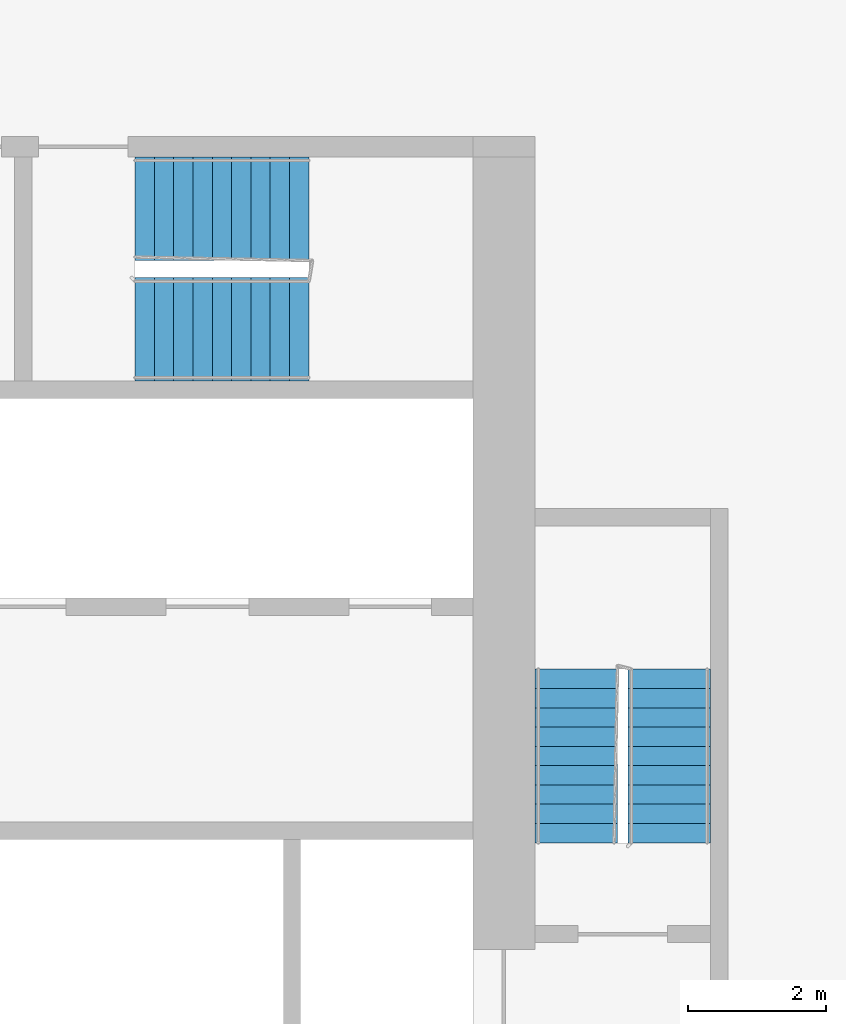
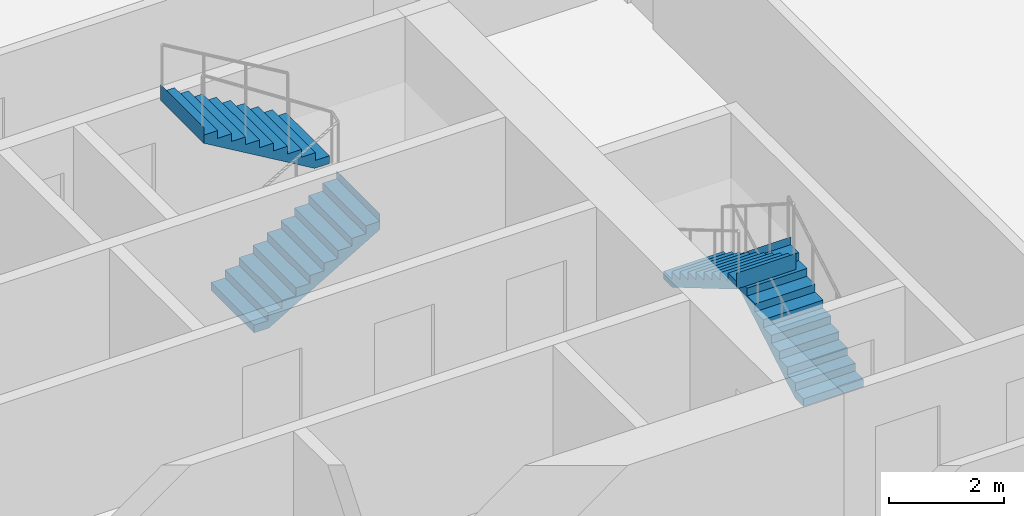
# One storey, part 11 of 13: 4 stair flights, 2 elements without a shape of their own.
"""IFC4 building model written with IfcOpenShell, lengths in metres."""

from ifc_helpers import new_model, si_unit, direction, frame, origin, place, context, subcontext, project, spatial, faceted_brep, material, type_object, element, aggregate, save


model = new_model("IFC4")

# Units and contexts
model_context = context("Model", 3, precision=1e-05, world=origin(), true_north=direction((0.0, 1.0)))
body_context = subcontext(model_context, "Body", "Model", "MODEL_VIEW")
ifc_project = project(units=[si_unit("LENGTHUNIT", "METRE"), si_unit("AREAUNIT", "SQUARE_METRE"), si_unit("VOLUMEUNIT", "CUBIC_METRE"), si_unit("PLANEANGLEUNIT", "RADIAN"), si_unit("MASSUNIT", "GRAM", prefix="KILO")], contexts=[model_context])

# Site, building, storey
site_placement = place(None, origin())
site = spatial("IfcSite", under=ifc_project, at=site_placement, CompositionType="ELEMENT")
building_placement = place(site_placement, origin())
building = spatial("IfcBuilding", under=site, at=building_placement, Name="Kajstack Hotel Tower", CompositionType="ELEMENT")
storey_placement = place(building_placement, frame((0.0, 0.0, 110.800048828125)))
storey = spatial("IfcBuildingStorey", under=building, at=storey_placement, Name="L23", CompositionType="ELEMENT", Elevation=110.800048828125)

# Stair, stair flights
ifc_material = material(Name="Concrete C40/50", Category="concrete")
stair_type_1 = type_object("IfcStairType", Name="Exit stair 1200", PredefinedType="HALF_TURN_STAIR", material=ifc_material)
stair_1_placement = place(storey_placement, origin())
stair_1 = element("IfcStair", 1, at=stair_1_placement, inside=storey, type_object=stair_type_1, Name="L23 stair E1", PredefinedType="HALF_TURN_STAIR")
stair_flight_type_1 = type_object("IfcStairFlightType", Name="Exit stair flight 1200", PredefinedType="STRAIGHT", material=ifc_material)
stair_flight_1_placement = place(storey_placement, frame((33.449951171875, 5.25, 0.0), z_axis=(0.0, 0.0, 1.0), x_axis=(0.0, 1.0, 0.0)))
stair_flight_1 = element("IfcStairFlight", 2, at=stair_flight_1_placement, type_object=stair_flight_type_1, Name="E1 flight 1", NumberOfRisers=10, NumberOfTreads=9, PredefinedType="STRAIGHT", RiserHeight=0.165, TreadLength=0.28, context=body_context, shape_type="Brep", body=[
    faceted_brep([(0.295654296875, -0.60009765625, 0.0), (2.5205078125, -0.60009765625, 1.31103515625), (2.5205078125, -0.60009765625, 1.64990234375), (2.52001953125, -0.60009765625, 1.64990234375), (2.52001953125, -0.60009765625, 1.485107421875), (2.239990234375, -0.60009765625, 1.485107421875), (2.239990234375, -0.60009765625, 1.320068359375), (1.9599609375, -0.60009765625, 1.320068359375), (1.9599609375, -0.60009765625, 1.155029296875), (1.679931640625, -0.60009765625, 1.155029296875), (1.679931640625, -0.60009765625, 0.989990234375), (1.39990234375, -0.60009765625, 0.989990234375), (1.39990234375, -0.60009765625, 0.824951171875), (1.1201171875, -0.60009765625, 0.824951171875), (1.1201171875, -0.60009765625, 0.659912109375), (0.840087890625, -0.60009765625, 0.659912109375), (0.840087890625, -0.60009765625, 0.4951171875), (0.56005859375, -0.60009765625, 0.4951171875), (0.56005859375, -0.60009765625, 0.330078125), (0.280029296875, -0.60009765625, 0.330078125), (0.280029296875, -0.60009765625, 0.1650390625), (-0.00048828125, -0.60009765625, 0.1650390625), (-0.00048828125, -0.60009765625, 0.0), (-0.00048828125, 0.60009765625, 0.0), (-0.00048828125, 0.60009765625, 0.1650390625), (0.280029296875, 0.60009765625, 0.1650390625), (0.280029296875, 0.60009765625, 0.330078125), (0.56005859375, 0.60009765625, 0.330078125), (0.56005859375, 0.60009765625, 0.4951171875), (0.840087890625, 0.60009765625, 0.4951171875), (0.840087890625, 0.60009765625, 0.659912109375), (1.1201171875, 0.60009765625, 0.659912109375), (1.1201171875, 0.60009765625, 0.824951171875), (1.39990234375, 0.60009765625, 0.824951171875), (1.39990234375, 0.60009765625, 0.989990234375), (1.679931640625, 0.60009765625, 0.989990234375), (1.679931640625, 0.60009765625, 1.155029296875), (1.9599609375, 0.60009765625, 1.155029296875), (1.9599609375, 0.60009765625, 1.320068359375), (2.239990234375, 0.60009765625, 1.320068359375), (2.239990234375, 0.60009765625, 1.485107421875), (2.52001953125, 0.60009765625, 1.485107421875), (2.52001953125, 0.60009765625, 1.64990234375), (2.5205078125, 0.60009765625, 1.64990234375), (2.5205078125, 0.60009765625, 1.31103515625), (0.295654296875, 0.60009765625, 0.0), (-0.00048828125, -0.300048828125, 0.1650390625), (-0.00048828125, 0.0, 0.1650390625), (-0.00048828125, 0.300048828125, 0.1650390625), (-0.00048828125, 0.300048828125, 0.0), (-0.00048828125, 0.0, 0.0), (-0.00048828125, -0.300048828125, 0.0), (0.280029296875, -0.300048828125, 0.1650390625), (0.280029296875, 0.0, 0.1650390625), (0.280029296875, 0.300048828125, 0.1650390625), (0.280029296875, -0.300048828125, 0.330078125), (0.280029296875, 0.0, 0.330078125), (0.280029296875, 0.300048828125, 0.330078125), (0.56005859375, -0.300048828125, 0.330078125), (0.56005859375, 0.0, 0.330078125), (0.56005859375, 0.300048828125, 0.330078125), (0.56005859375, -0.300048828125, 0.4951171875), (0.56005859375, 0.0, 0.4951171875), (0.56005859375, 0.300048828125, 0.4951171875), (0.840087890625, -0.300048828125, 0.4951171875), (0.840087890625, 0.0, 0.4951171875), (0.840087890625, 0.300048828125, 0.4951171875), (0.840087890625, -0.300048828125, 0.659912109375), (0.840087890625, 0.0, 0.659912109375), (0.840087890625, 0.300048828125, 0.659912109375), (1.1201171875, -0.300048828125, 0.659912109375), (1.1201171875, 0.0, 0.659912109375), (1.1201171875, 0.300048828125, 0.659912109375), (1.1201171875, -0.300048828125, 0.824951171875), (1.1201171875, 0.0, 0.824951171875), (1.1201171875, 0.300048828125, 0.824951171875), (1.39990234375, -0.300048828125, 0.824951171875), (1.39990234375, 0.0, 0.824951171875), (1.39990234375, 0.300048828125, 0.824951171875), (1.39990234375, -0.300048828125, 0.989990234375), (1.39990234375, 0.0, 0.989990234375), (1.39990234375, 0.300048828125, 0.989990234375), (1.679931640625, -0.300048828125, 0.989990234375), (1.679931640625, 0.0, 0.989990234375), (1.679931640625, 0.300048828125, 0.989990234375), (1.679931640625, -0.300048828125, 1.155029296875), (1.679931640625, 0.0, 1.155029296875), (1.679931640625, 0.300048828125, 1.155029296875), (1.9599609375, -0.300048828125, 1.155029296875), (1.9599609375, 0.0, 1.155029296875), (1.9599609375, 0.300048828125, 1.155029296875), (1.9599609375, -0.300048828125, 1.320068359375), (1.9599609375, 0.0, 1.320068359375), (1.9599609375, 0.300048828125, 1.320068359375), (2.239990234375, -0.300048828125, 1.320068359375), (2.239990234375, 0.0, 1.320068359375), (2.239990234375, 0.300048828125, 1.320068359375), (2.239990234375, -0.300048828125, 1.485107421875), (2.239990234375, 0.0, 1.485107421875), (2.239990234375, 0.300048828125, 1.485107421875), (2.52001953125, -0.300048828125, 1.485107421875), (2.52001953125, 0.0, 1.485107421875), (2.52001953125, 0.300048828125, 1.485107421875), (2.52001953125, -0.300048828125, 1.64990234375), (2.52001953125, 0.0, 1.64990234375), (2.52001953125, 0.300048828125, 1.64990234375), (2.5205078125, -0.300048828125, 1.64990234375), (2.5205078125, 0.0, 1.64990234375), (2.5205078125, 0.300048828125, 1.64990234375), (2.5205078125, -0.300048828125, 1.31103515625), (2.5205078125, 0.0, 1.31103515625), (2.5205078125, 0.300048828125, 1.31103515625), (0.295654296875, -0.300048828125, 0.0), (0.295654296875, 0.0, 0.0), (0.295654296875, 0.300048828125, 0.0)], [[[0, 1, 2, 3, 4, 5, 6, 7, 8, 9, 10, 11, 12, 13, 14, 15, 16, 17, 18, 19, 20, 21, 22]], [[23, 24, 25, 26, 27, 28, 29, 30, 31, 32, 33, 34, 35, 36, 37, 38, 39, 40, 41, 42, 43, 44, 45]], [[21, 46, 47, 48, 24, 23, 49, 50, 51, 22]], [[20, 52, 53, 54, 25, 24, 48, 47, 46, 21]], [[19, 55, 56, 57, 26, 25, 54, 53, 52, 20]], [[18, 58, 59, 60, 27, 26, 57, 56, 55, 19]], [[17, 61, 62, 63, 28, 27, 60, 59, 58, 18]], [[16, 64, 65, 66, 29, 28, 63, 62, 61, 17]], [[15, 67, 68, 69, 30, 29, 66, 65, 64, 16]], [[14, 70, 71, 72, 31, 30, 69, 68, 67, 15]], [[13, 73, 74, 75, 32, 31, 72, 71, 70, 14]], [[12, 76, 77, 78, 33, 32, 75, 74, 73, 13]], [[11, 79, 80, 81, 34, 33, 78, 77, 76, 12]], [[10, 82, 83, 84, 35, 34, 81, 80, 79, 11]], [[9, 85, 86, 87, 36, 35, 84, 83, 82, 10]], [[8, 88, 89, 90, 37, 36, 87, 86, 85, 9]], [[7, 91, 92, 93, 38, 37, 90, 89, 88, 8]], [[6, 94, 95, 96, 39, 38, 93, 92, 91, 7]], [[5, 97, 98, 99, 40, 39, 96, 95, 94, 6]], [[4, 100, 101, 102, 41, 40, 99, 98, 97, 5]], [[3, 103, 104, 105, 42, 41, 102, 101, 100, 4]], [[2, 106, 107, 108, 43, 42, 105, 104, 103, 3]], [[1, 109, 110, 111, 44, 43, 108, 107, 106, 2]], [[0, 112, 113, 114, 45, 44, 111, 110, 109, 1]], [[22, 51, 50, 49, 23, 45, 114, 113, 112, 0]]]),
])
stair_flight_2_placement = place(storey_placement, frame((32.10009765625, 7.77001953125, 1.64990234375), z_axis=(0.0, 0.0, 1.0), x_axis=(0.0, -1.0, 0.0)))
stair_flight_2 = element("IfcStairFlight", 3, at=stair_flight_2_placement, type_object=stair_flight_type_1, Name="E1 flight 2", NumberOfRisers=10, NumberOfTreads=9, PredefinedType="STRAIGHT", RiserHeight=0.165, TreadLength=0.28, context=body_context, shape_type="Brep", body=[
    faceted_brep([(0.295654296875, -0.60009765625, 0.0), (2.5205078125, -0.60009765625, 1.31103515625), (2.5205078125, -0.60009765625, 1.64990234375), (2.52001953125, -0.60009765625, 1.64990234375), (2.52001953125, -0.60009765625, 1.485107421875), (2.239990234375, -0.60009765625, 1.485107421875), (2.239990234375, -0.60009765625, 1.320068359375), (1.9599609375, -0.60009765625, 1.320068359375), (1.9599609375, -0.60009765625, 1.155029296875), (1.679931640625, -0.60009765625, 1.155029296875), (1.679931640625, -0.60009765625, 0.989990234375), (1.39990234375, -0.60009765625, 0.989990234375), (1.39990234375, -0.60009765625, 0.824951171875), (1.1201171875, -0.60009765625, 0.824951171875), (1.1201171875, -0.60009765625, 0.659912109375), (0.840087890625, -0.60009765625, 0.659912109375), (0.840087890625, -0.60009765625, 0.4951171875), (0.56005859375, -0.60009765625, 0.4951171875), (0.56005859375, -0.60009765625, 0.330078125), (0.280029296875, -0.60009765625, 0.330078125), (0.280029296875, -0.60009765625, 0.1650390625), (-0.00048828125, -0.60009765625, 0.1650390625), (-0.00048828125, -0.60009765625, 0.0), (-0.00048828125, 0.60009765625, 0.0), (-0.00048828125, 0.60009765625, 0.1650390625), (0.280029296875, 0.60009765625, 0.1650390625), (0.280029296875, 0.60009765625, 0.330078125), (0.56005859375, 0.60009765625, 0.330078125), (0.56005859375, 0.60009765625, 0.4951171875), (0.840087890625, 0.60009765625, 0.4951171875), (0.840087890625, 0.60009765625, 0.659912109375), (1.1201171875, 0.60009765625, 0.659912109375), (1.1201171875, 0.60009765625, 0.824951171875), (1.39990234375, 0.60009765625, 0.824951171875), (1.39990234375, 0.60009765625, 0.989990234375), (1.679931640625, 0.60009765625, 0.989990234375), (1.679931640625, 0.60009765625, 1.155029296875), (1.9599609375, 0.60009765625, 1.155029296875), (1.9599609375, 0.60009765625, 1.320068359375), (2.239990234375, 0.60009765625, 1.320068359375), (2.239990234375, 0.60009765625, 1.485107421875), (2.52001953125, 0.60009765625, 1.485107421875), (2.52001953125, 0.60009765625, 1.64990234375), (2.5205078125, 0.60009765625, 1.64990234375), (2.5205078125, 0.60009765625, 1.31103515625), (0.295654296875, 0.60009765625, 0.0), (-0.00048828125, -0.300048828125, 0.1650390625), (-0.00048828125, 0.0, 0.1650390625), (-0.00048828125, 0.300048828125, 0.1650390625), (-0.00048828125, 0.300048828125, 0.0), (-0.00048828125, 0.0, 0.0), (-0.00048828125, -0.300048828125, 0.0), (0.280029296875, -0.300048828125, 0.1650390625), (0.280029296875, 0.0, 0.1650390625), (0.280029296875, 0.300048828125, 0.1650390625), (0.280029296875, -0.300048828125, 0.330078125), (0.280029296875, 0.0, 0.330078125), (0.280029296875, 0.300048828125, 0.330078125), (0.56005859375, -0.300048828125, 0.330078125), (0.56005859375, 0.0, 0.330078125), (0.56005859375, 0.300048828125, 0.330078125), (0.56005859375, -0.300048828125, 0.4951171875), (0.56005859375, 0.0, 0.4951171875), (0.56005859375, 0.300048828125, 0.4951171875), (0.840087890625, -0.300048828125, 0.4951171875), (0.840087890625, 0.0, 0.4951171875), (0.840087890625, 0.300048828125, 0.4951171875), (0.840087890625, -0.300048828125, 0.659912109375), (0.840087890625, 0.0, 0.659912109375), (0.840087890625, 0.300048828125, 0.659912109375), (1.1201171875, -0.300048828125, 0.659912109375), (1.1201171875, 0.0, 0.659912109375), (1.1201171875, 0.300048828125, 0.659912109375), (1.1201171875, -0.300048828125, 0.824951171875), (1.1201171875, 0.0, 0.824951171875), (1.1201171875, 0.300048828125, 0.824951171875), (1.39990234375, -0.300048828125, 0.824951171875), (1.39990234375, 0.0, 0.824951171875), (1.39990234375, 0.300048828125, 0.824951171875), (1.39990234375, -0.300048828125, 0.989990234375), (1.39990234375, 0.0, 0.989990234375), (1.39990234375, 0.300048828125, 0.989990234375), (1.679931640625, -0.300048828125, 0.989990234375), (1.679931640625, 0.0, 0.989990234375), (1.679931640625, 0.300048828125, 0.989990234375), (1.679931640625, -0.300048828125, 1.155029296875), (1.679931640625, 0.0, 1.155029296875), (1.679931640625, 0.300048828125, 1.155029296875), (1.9599609375, -0.300048828125, 1.155029296875), (1.9599609375, 0.0, 1.155029296875), (1.9599609375, 0.300048828125, 1.155029296875), (1.9599609375, -0.300048828125, 1.320068359375), (1.9599609375, 0.0, 1.320068359375), (1.9599609375, 0.300048828125, 1.320068359375), (2.239990234375, -0.300048828125, 1.320068359375), (2.239990234375, 0.0, 1.320068359375), (2.239990234375, 0.300048828125, 1.320068359375), (2.239990234375, -0.300048828125, 1.485107421875), (2.239990234375, 0.0, 1.485107421875), (2.239990234375, 0.300048828125, 1.485107421875), (2.52001953125, -0.300048828125, 1.485107421875), (2.52001953125, 0.0, 1.485107421875), (2.52001953125, 0.300048828125, 1.485107421875), (2.52001953125, -0.300048828125, 1.64990234375), (2.52001953125, 0.0, 1.64990234375), (2.52001953125, 0.300048828125, 1.64990234375), (2.5205078125, -0.300048828125, 1.64990234375), (2.5205078125, 0.0, 1.64990234375), (2.5205078125, 0.300048828125, 1.64990234375), (2.5205078125, -0.300048828125, 1.31103515625), (2.5205078125, 0.0, 1.31103515625), (2.5205078125, 0.300048828125, 1.31103515625), (0.295654296875, -0.300048828125, 0.0), (0.295654296875, 0.0, 0.0), (0.295654296875, 0.300048828125, 0.0)], [[[0, 1, 2, 3, 4, 5, 6, 7, 8, 9, 10, 11, 12, 13, 14, 15, 16, 17, 18, 19, 20, 21, 22]], [[23, 24, 25, 26, 27, 28, 29, 30, 31, 32, 33, 34, 35, 36, 37, 38, 39, 40, 41, 42, 43, 44, 45]], [[21, 46, 47, 48, 24, 23, 49, 50, 51, 22]], [[20, 52, 53, 54, 25, 24, 48, 47, 46, 21]], [[19, 55, 56, 57, 26, 25, 54, 53, 52, 20]], [[18, 58, 59, 60, 27, 26, 57, 56, 55, 19]], [[17, 61, 62, 63, 28, 27, 60, 59, 58, 18]], [[16, 64, 65, 66, 29, 28, 63, 62, 61, 17]], [[15, 67, 68, 69, 30, 29, 66, 65, 64, 16]], [[14, 70, 71, 72, 31, 30, 69, 68, 67, 15]], [[13, 73, 74, 75, 32, 31, 72, 71, 70, 14]], [[12, 76, 77, 78, 33, 32, 75, 74, 73, 13]], [[11, 79, 80, 81, 34, 33, 78, 77, 76, 12]], [[10, 82, 83, 84, 35, 34, 81, 80, 79, 11]], [[9, 85, 86, 87, 36, 35, 84, 83, 82, 10]], [[8, 88, 89, 90, 37, 36, 87, 86, 85, 9]], [[7, 91, 92, 93, 38, 37, 90, 89, 88, 8]], [[6, 94, 95, 96, 39, 38, 93, 92, 91, 7]], [[5, 97, 98, 99, 40, 39, 96, 95, 94, 6]], [[4, 100, 101, 102, 41, 40, 99, 98, 97, 5]], [[3, 103, 104, 105, 42, 41, 102, 101, 100, 4]], [[2, 106, 107, 108, 43, 42, 105, 104, 103, 3]], [[1, 109, 110, 111, 44, 43, 108, 107, 106, 2]], [[0, 112, 113, 114, 45, 44, 111, 110, 109, 1]], [[22, 51, 50, 49, 23, 45, 114, 113, 112, 0]]]),
])
aggregate(stair_1, [stair_flight_1, stair_flight_2])

stair_type_2 = type_object("IfcStairType", Name="Exit stair 1500", PredefinedType="HALF_TURN_STAIR", material=ifc_material)
stair_2_placement = place(storey_placement, origin())
stair_2 = element("IfcStair", 4, at=stair_2_placement, inside=storey, type_object=stair_type_2, Name="L23 stair E3", PredefinedType="HALF_TURN_STAIR")
stair_flight_type_2 = type_object("IfcStairFlightType", Name="Exit stair flight 1500", PredefinedType="STRAIGHT", material=ifc_material)
stair_flight_3_placement = place(storey_placement, frame((25.699951171875, 12.699951171875, 0.0), z_axis=(0.0, 0.0, 1.0), x_axis=(1.0, 0.0, 0.0)))
stair_flight_3 = element("IfcStairFlight", 5, at=stair_flight_3_placement, type_object=stair_flight_type_2, Name="E3 flight 1", NumberOfRisers=10, NumberOfTreads=9, PredefinedType="STRAIGHT", RiserHeight=0.165, TreadLength=0.28, context=body_context, shape_type="Brep", body=[
    faceted_brep([(0.295654296875, -0.75, 0.0), (2.5205078125, -0.75, 1.31103515625), (2.5205078125, -0.75, 1.64990234375), (2.52001953125, -0.75, 1.64990234375), (2.52001953125, -0.75, 1.485107421875), (2.239990234375, -0.75, 1.485107421875), (2.239990234375, -0.75, 1.320068359375), (1.9599609375, -0.75, 1.320068359375), (1.9599609375, -0.75, 1.155029296875), (1.679931640625, -0.75, 1.155029296875), (1.679931640625, -0.75, 0.989990234375), (1.39990234375, -0.75, 0.989990234375), (1.39990234375, -0.75, 0.824951171875), (1.1201171875, -0.75, 0.824951171875), (1.1201171875, -0.75, 0.659912109375), (0.840087890625, -0.75, 0.659912109375), (0.840087890625, -0.75, 0.4951171875), (0.56005859375, -0.75, 0.4951171875), (0.56005859375, -0.75, 0.330078125), (0.280029296875, -0.75, 0.330078125), (0.280029296875, -0.75, 0.1650390625), (-0.00048828125, -0.75, 0.1650390625), (-0.00048828125, -0.75, 0.0), (-0.00048828125, 0.75, 0.0), (-0.00048828125, 0.75, 0.1650390625), (0.280029296875, 0.75, 0.1650390625), (0.280029296875, 0.75, 0.330078125), (0.56005859375, 0.75, 0.330078125), (0.56005859375, 0.75, 0.4951171875), (0.840087890625, 0.75, 0.4951171875), (0.840087890625, 0.75, 0.659912109375), (1.1201171875, 0.75, 0.659912109375), (1.1201171875, 0.75, 0.824951171875), (1.39990234375, 0.75, 0.824951171875), (1.39990234375, 0.75, 0.989990234375), (1.679931640625, 0.75, 0.989990234375), (1.679931640625, 0.75, 1.155029296875), (1.9599609375, 0.75, 1.155029296875), (1.9599609375, 0.75, 1.320068359375), (2.239990234375, 0.75, 1.320068359375), (2.239990234375, 0.75, 1.485107421875), (2.52001953125, 0.75, 1.485107421875), (2.52001953125, 0.75, 1.64990234375), (2.5205078125, 0.75, 1.64990234375), (2.5205078125, 0.75, 1.31103515625), (0.295654296875, 0.75, 0.0), (-0.00048828125, -0.375, 0.1650390625), (-0.00048828125, 0.0, 0.1650390625), (-0.00048828125, 0.375, 0.1650390625), (-0.00048828125, 0.375, 0.0), (-0.00048828125, 0.0, 0.0), (-0.00048828125, -0.375, 0.0), (0.280029296875, -0.375, 0.1650390625), (0.280029296875, 0.0, 0.1650390625), (0.280029296875, 0.375, 0.1650390625), (0.280029296875, -0.375, 0.330078125), (0.280029296875, 0.0, 0.330078125), (0.280029296875, 0.375, 0.330078125), (0.56005859375, -0.375, 0.330078125), (0.56005859375, 0.0, 0.330078125), (0.56005859375, 0.375, 0.330078125), (0.56005859375, -0.375, 0.4951171875), (0.56005859375, 0.0, 0.4951171875), (0.56005859375, 0.375, 0.4951171875), (0.840087890625, -0.375, 0.4951171875), (0.840087890625, 0.0, 0.4951171875), (0.840087890625, 0.375, 0.4951171875), (0.840087890625, -0.375, 0.659912109375), (0.840087890625, 0.0, 0.659912109375), (0.840087890625, 0.375, 0.659912109375), (1.1201171875, -0.375, 0.659912109375), (1.1201171875, 0.0, 0.659912109375), (1.1201171875, 0.375, 0.659912109375), (1.1201171875, -0.375, 0.824951171875), (1.1201171875, 0.0, 0.824951171875), (1.1201171875, 0.375, 0.824951171875), (1.39990234375, -0.375, 0.824951171875), (1.39990234375, 0.0, 0.824951171875), (1.39990234375, 0.375, 0.824951171875), (1.39990234375, -0.375, 0.989990234375), (1.39990234375, 0.0, 0.989990234375), (1.39990234375, 0.375, 0.989990234375), (1.679931640625, -0.375, 0.989990234375), (1.679931640625, 0.0, 0.989990234375), (1.679931640625, 0.375, 0.989990234375), (1.679931640625, -0.375, 1.155029296875), (1.679931640625, 0.0, 1.155029296875), (1.679931640625, 0.375, 1.155029296875), (1.9599609375, -0.375, 1.155029296875), (1.9599609375, 0.0, 1.155029296875), (1.9599609375, 0.375, 1.155029296875), (1.9599609375, -0.375, 1.320068359375), (1.9599609375, 0.0, 1.320068359375), (1.9599609375, 0.375, 1.320068359375), (2.239990234375, -0.375, 1.320068359375), (2.239990234375, 0.0, 1.320068359375), (2.239990234375, 0.375, 1.320068359375), (2.239990234375, -0.375, 1.485107421875), (2.239990234375, 0.0, 1.485107421875), (2.239990234375, 0.375, 1.485107421875), (2.52001953125, -0.375, 1.485107421875), (2.52001953125, 0.0, 1.485107421875), (2.52001953125, 0.375, 1.485107421875), (2.52001953125, -0.375, 1.64990234375), (2.52001953125, 0.0, 1.64990234375), (2.52001953125, 0.375, 1.64990234375), (2.5205078125, -0.375, 1.64990234375), (2.5205078125, 0.0, 1.64990234375), (2.5205078125, 0.375, 1.64990234375), (2.5205078125, -0.375, 1.31103515625), (2.5205078125, 0.0, 1.31103515625), (2.5205078125, 0.375, 1.31103515625), (0.295654296875, -0.375, 0.0), (0.295654296875, 0.0, 0.0), (0.295654296875, 0.375, 0.0)], [[[0, 1, 2, 3, 4, 5, 6, 7, 8, 9, 10, 11, 12, 13, 14, 15, 16, 17, 18, 19, 20, 21, 22]], [[23, 24, 25, 26, 27, 28, 29, 30, 31, 32, 33, 34, 35, 36, 37, 38, 39, 40, 41, 42, 43, 44, 45]], [[21, 46, 47, 48, 24, 23, 49, 50, 51, 22]], [[20, 52, 53, 54, 25, 24, 48, 47, 46, 21]], [[19, 55, 56, 57, 26, 25, 54, 53, 52, 20]], [[18, 58, 59, 60, 27, 26, 57, 56, 55, 19]], [[17, 61, 62, 63, 28, 27, 60, 59, 58, 18]], [[16, 64, 65, 66, 29, 28, 63, 62, 61, 17]], [[15, 67, 68, 69, 30, 29, 66, 65, 64, 16]], [[14, 70, 71, 72, 31, 30, 69, 68, 67, 15]], [[13, 73, 74, 75, 32, 31, 72, 71, 70, 14]], [[12, 76, 77, 78, 33, 32, 75, 74, 73, 13]], [[11, 79, 80, 81, 34, 33, 78, 77, 76, 12]], [[10, 82, 83, 84, 35, 34, 81, 80, 79, 11]], [[9, 85, 86, 87, 36, 35, 84, 83, 82, 10]], [[8, 88, 89, 90, 37, 36, 87, 86, 85, 9]], [[7, 91, 92, 93, 38, 37, 90, 89, 88, 8]], [[6, 94, 95, 96, 39, 38, 93, 92, 91, 7]], [[5, 97, 98, 99, 40, 39, 96, 95, 94, 6]], [[4, 100, 101, 102, 41, 40, 99, 98, 97, 5]], [[3, 103, 104, 105, 42, 41, 102, 101, 100, 4]], [[2, 106, 107, 108, 43, 42, 105, 104, 103, 3]], [[1, 109, 110, 111, 44, 43, 108, 107, 106, 2]], [[0, 112, 113, 114, 45, 44, 111, 110, 109, 1]], [[22, 51, 50, 49, 23, 45, 114, 113, 112, 0]]]),
])
stair_flight_4_placement = place(storey_placement, frame((28.219970703125, 14.449951171875, 1.64990234375), z_axis=(0.0, 0.0, 1.0), x_axis=(-1.0, 0.0, 0.0)))
stair_flight_4 = element("IfcStairFlight", 6, at=stair_flight_4_placement, type_object=stair_flight_type_2, Name="E3 flight 2", NumberOfRisers=10, NumberOfTreads=9, PredefinedType="STRAIGHT", RiserHeight=0.165, TreadLength=0.28, context=body_context, shape_type="Brep", body=[
    faceted_brep([(0.295654296875, -0.75, 0.0), (2.5205078125, -0.75, 1.31103515625), (2.5205078125, -0.75, 1.64990234375), (2.52001953125, -0.75, 1.64990234375), (2.52001953125, -0.75, 1.485107421875), (2.239990234375, -0.75, 1.485107421875), (2.239990234375, -0.75, 1.320068359375), (1.9599609375, -0.75, 1.320068359375), (1.9599609375, -0.75, 1.155029296875), (1.679931640625, -0.75, 1.155029296875), (1.679931640625, -0.75, 0.989990234375), (1.39990234375, -0.75, 0.989990234375), (1.39990234375, -0.75, 0.824951171875), (1.1201171875, -0.75, 0.824951171875), (1.1201171875, -0.75, 0.659912109375), (0.840087890625, -0.75, 0.659912109375), (0.840087890625, -0.75, 0.4951171875), (0.56005859375, -0.75, 0.4951171875), (0.56005859375, -0.75, 0.330078125), (0.280029296875, -0.75, 0.330078125), (0.280029296875, -0.75, 0.1650390625), (-0.00048828125, -0.75, 0.1650390625), (-0.00048828125, -0.75, 0.0), (-0.00048828125, 0.75, 0.0), (-0.00048828125, 0.75, 0.1650390625), (0.280029296875, 0.75, 0.1650390625), (0.280029296875, 0.75, 0.330078125), (0.56005859375, 0.75, 0.330078125), (0.56005859375, 0.75, 0.4951171875), (0.840087890625, 0.75, 0.4951171875), (0.840087890625, 0.75, 0.659912109375), (1.1201171875, 0.75, 0.659912109375), (1.1201171875, 0.75, 0.824951171875), (1.39990234375, 0.75, 0.824951171875), (1.39990234375, 0.75, 0.989990234375), (1.679931640625, 0.75, 0.989990234375), (1.679931640625, 0.75, 1.155029296875), (1.9599609375, 0.75, 1.155029296875), (1.9599609375, 0.75, 1.320068359375), (2.239990234375, 0.75, 1.320068359375), (2.239990234375, 0.75, 1.485107421875), (2.52001953125, 0.75, 1.485107421875), (2.52001953125, 0.75, 1.64990234375), (2.5205078125, 0.75, 1.64990234375), (2.5205078125, 0.75, 1.31103515625), (0.295654296875, 0.75, 0.0), (-0.00048828125, -0.375, 0.1650390625), (-0.00048828125, 0.0, 0.1650390625), (-0.00048828125, 0.375, 0.1650390625), (-0.00048828125, 0.375, 0.0), (-0.00048828125, 0.0, 0.0), (-0.00048828125, -0.375, 0.0), (0.280029296875, -0.375, 0.1650390625), (0.280029296875, 0.0, 0.1650390625), (0.280029296875, 0.375, 0.1650390625), (0.280029296875, -0.375, 0.330078125), (0.280029296875, 0.0, 0.330078125), (0.280029296875, 0.375, 0.330078125), (0.56005859375, -0.375, 0.330078125), (0.56005859375, 0.0, 0.330078125), (0.56005859375, 0.375, 0.330078125), (0.56005859375, -0.375, 0.4951171875), (0.56005859375, 0.0, 0.4951171875), (0.56005859375, 0.375, 0.4951171875), (0.840087890625, -0.375, 0.4951171875), (0.840087890625, 0.0, 0.4951171875), (0.840087890625, 0.375, 0.4951171875), (0.840087890625, -0.375, 0.659912109375), (0.840087890625, 0.0, 0.659912109375), (0.840087890625, 0.375, 0.659912109375), (1.1201171875, -0.375, 0.659912109375), (1.1201171875, 0.0, 0.659912109375), (1.1201171875, 0.375, 0.659912109375), (1.1201171875, -0.375, 0.824951171875), (1.1201171875, 0.0, 0.824951171875), (1.1201171875, 0.375, 0.824951171875), (1.39990234375, -0.375, 0.824951171875), (1.39990234375, 0.0, 0.824951171875), (1.39990234375, 0.375, 0.824951171875), (1.39990234375, -0.375, 0.989990234375), (1.39990234375, 0.0, 0.989990234375), (1.39990234375, 0.375, 0.989990234375), (1.679931640625, -0.375, 0.989990234375), (1.679931640625, 0.0, 0.989990234375), (1.679931640625, 0.375, 0.989990234375), (1.679931640625, -0.375, 1.155029296875), (1.679931640625, 0.0, 1.155029296875), (1.679931640625, 0.375, 1.155029296875), (1.9599609375, -0.375, 1.155029296875), (1.9599609375, 0.0, 1.155029296875), (1.9599609375, 0.375, 1.155029296875), (1.9599609375, -0.375, 1.320068359375), (1.9599609375, 0.0, 1.320068359375), (1.9599609375, 0.375, 1.320068359375), (2.239990234375, -0.375, 1.320068359375), (2.239990234375, 0.0, 1.320068359375), (2.239990234375, 0.375, 1.320068359375), (2.239990234375, -0.375, 1.485107421875), (2.239990234375, 0.0, 1.485107421875), (2.239990234375, 0.375, 1.485107421875), (2.52001953125, -0.375, 1.485107421875), (2.52001953125, 0.0, 1.485107421875), (2.52001953125, 0.375, 1.485107421875), (2.52001953125, -0.375, 1.64990234375), (2.52001953125, 0.0, 1.64990234375), (2.52001953125, 0.375, 1.64990234375), (2.5205078125, -0.375, 1.64990234375), (2.5205078125, 0.0, 1.64990234375), (2.5205078125, 0.375, 1.64990234375), (2.5205078125, -0.375, 1.31103515625), (2.5205078125, 0.0, 1.31103515625), (2.5205078125, 0.375, 1.31103515625), (0.295654296875, -0.375, 0.0), (0.295654296875, 0.0, 0.0), (0.295654296875, 0.375, 0.0)], [[[0, 1, 2, 3, 4, 5, 6, 7, 8, 9, 10, 11, 12, 13, 14, 15, 16, 17, 18, 19, 20, 21, 22]], [[23, 24, 25, 26, 27, 28, 29, 30, 31, 32, 33, 34, 35, 36, 37, 38, 39, 40, 41, 42, 43, 44, 45]], [[21, 46, 47, 48, 24, 23, 49, 50, 51, 22]], [[20, 52, 53, 54, 25, 24, 48, 47, 46, 21]], [[19, 55, 56, 57, 26, 25, 54, 53, 52, 20]], [[18, 58, 59, 60, 27, 26, 57, 56, 55, 19]], [[17, 61, 62, 63, 28, 27, 60, 59, 58, 18]], [[16, 64, 65, 66, 29, 28, 63, 62, 61, 17]], [[15, 67, 68, 69, 30, 29, 66, 65, 64, 16]], [[14, 70, 71, 72, 31, 30, 69, 68, 67, 15]], [[13, 73, 74, 75, 32, 31, 72, 71, 70, 14]], [[12, 76, 77, 78, 33, 32, 75, 74, 73, 13]], [[11, 79, 80, 81, 34, 33, 78, 77, 76, 12]], [[10, 82, 83, 84, 35, 34, 81, 80, 79, 11]], [[9, 85, 86, 87, 36, 35, 84, 83, 82, 10]], [[8, 88, 89, 90, 37, 36, 87, 86, 85, 9]], [[7, 91, 92, 93, 38, 37, 90, 89, 88, 8]], [[6, 94, 95, 96, 39, 38, 93, 92, 91, 7]], [[5, 97, 98, 99, 40, 39, 96, 95, 94, 6]], [[4, 100, 101, 102, 41, 40, 99, 98, 97, 5]], [[3, 103, 104, 105, 42, 41, 102, 101, 100, 4]], [[2, 106, 107, 108, 43, 42, 105, 104, 103, 3]], [[1, 109, 110, 111, 44, 43, 108, 107, 106, 2]], [[0, 112, 113, 114, 45, 44, 111, 110, 109, 1]], [[22, 51, 50, 49, 23, 45, 114, 113, 112, 0]]]),
])
aggregate(stair_2, [stair_flight_3, stair_flight_4])

save(model, "model.ifc")
